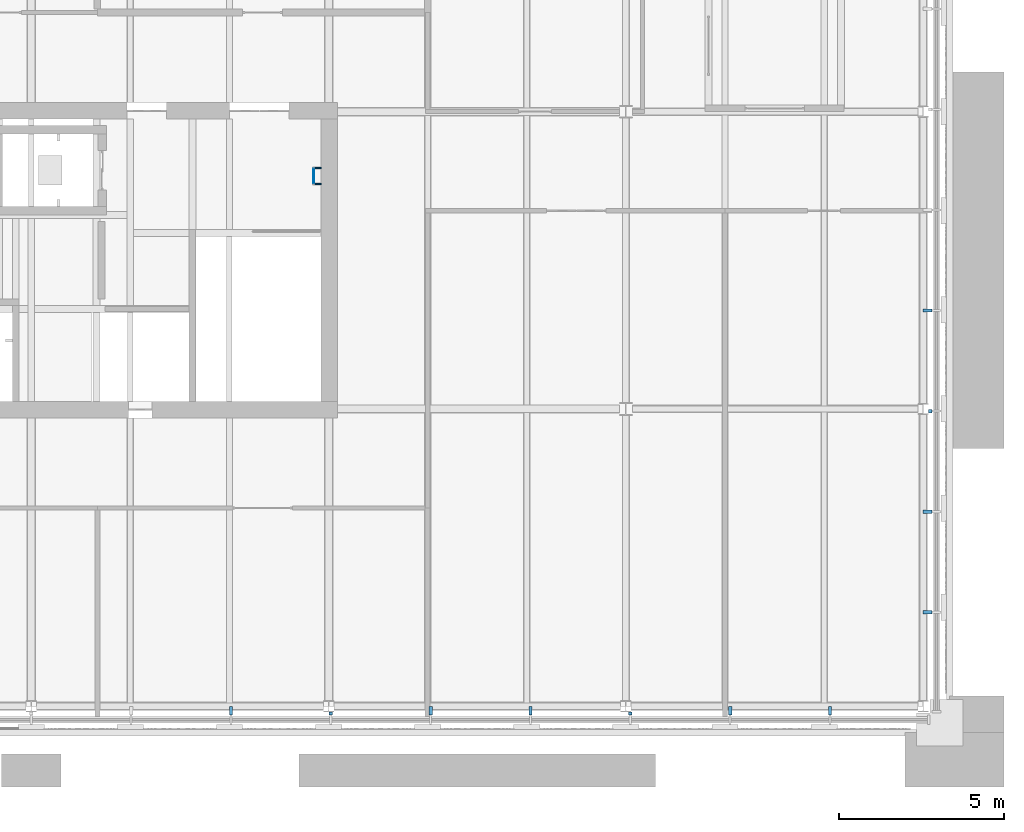
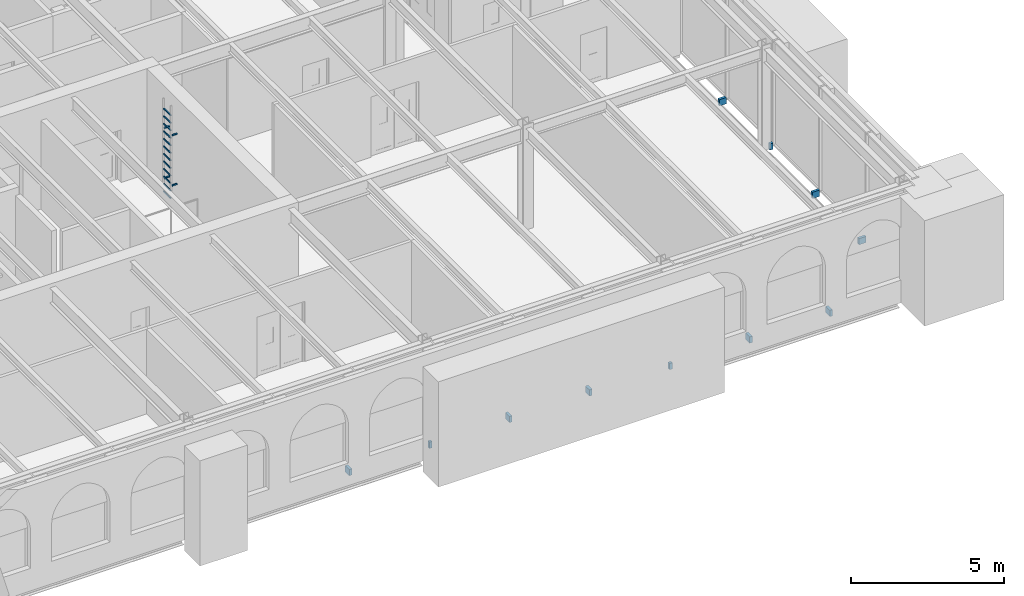
# One storey, part 19 of 24: 27 discrete accessories.
"""IFC4 building model written with IfcOpenShell, lengths in metres."""

from ifc_helpers import new_model, si_unit, direction, frame, origin, origin_2d, place, context, subcontext, project, spatial, rectangle, extrude, material, type_object, element, save


model = new_model("IFC4")

# Units and contexts
model_context = context("Model", 3, precision=1e-05, world=origin(), true_north=direction((0.0, 1.0)))
body_context = subcontext(model_context, "Body", "Model", "MODEL_VIEW")
ifc_project = project(units=[si_unit("LENGTHUNIT", "METRE"), si_unit("AREAUNIT", "SQUARE_METRE"), si_unit("VOLUMEUNIT", "CUBIC_METRE"), si_unit("PLANEANGLEUNIT", "RADIAN"), si_unit("MASSUNIT", "GRAM", prefix="KILO")], contexts=[model_context])

# Site, building, storey
site_placement = place(None, origin())
site = spatial("IfcSite", under=ifc_project, at=site_placement, CompositionType="ELEMENT")
building_placement = place(site_placement, origin())
building = spatial("IfcBuilding", under=site, at=building_placement, Name="Baradari Gate Terminus", CompositionType="ELEMENT")
storey_placement = place(building_placement, frame((0.0, 0.0, 32.699951171875)))
storey = spatial("IfcBuildingStorey", under=building, at=storey_placement, Name="L07", CompositionType="ELEMENT", Elevation=32.699951171875)

# Discrete accessories
ifc_material_1 = material(Name="Aluminium 6063-T6", Category="aluminium")
discrete_accessory_type_1 = type_object("IfcDiscreteAccessoryType", Name="Curtain wall bracket BK-1 100x250", PredefinedType="BRACKET", material=ifc_material_1)
discrete_accessory_1_placement = place(storey_placement, frame((42.04443359375, 116.864990234375, -0.1298828125), z_axis=(0.0, 0.0, 1.0), x_axis=(0.0, -1.0, 0.0)))
element("IfcDiscreteAccessory", 1, at=discrete_accessory_1_placement, inside=storey, type_object=discrete_accessory_type_1, Name="Curtain wall bracket L07/TS mullion 12", PredefinedType="BRACKET", context=body_context, shape_type="SweptSolid", body=[
    extrude(rectangle(XDim=0.27001953125, YDim=0.10009765625, at=origin_2d()), origin(), (0.0, 0.0, 1.0), 0.25),
])
discrete_accessory_2_placement = place(storey_placement, frame((45.066650390625, 116.780029296875, -0.099853515625), z_axis=(0.0, 0.0, 1.0), x_axis=(0.0, -1.0, 0.0)))
element("IfcDiscreteAccessory", 2, at=discrete_accessory_2_placement, inside=storey, type_object=discrete_accessory_type_1, Name="Curtain wall bracket L07/TS mullion 13", PredefinedType="BRACKET", context=body_context, shape_type="SweptSolid", body=[
    extrude(rectangle(XDim=0.10009765625, YDim=0.10009765625, at=origin_2d()), origin(), (0.0, 0.0, 1.0), 0.25),
])
for number, where, z_axis, x_axis, name in (
    (3, (48.0888671875, 116.864990234375, -0.1298828125), (0.0, 0.0, 1.0), (0.0, -1.0, 0.0), "Curtain wall bracket L07/TS mullion 14"),
    (4, (51.111083984375, 116.864990234375, -0.1298828125), (0.0, 0.0, 1.0), (0.0, -1.0, 0.0), "Curtain wall bracket L07/TS mullion 15"),
):
    element("IfcDiscreteAccessory", number, at=place(storey_placement, frame(where, z_axis=z_axis, x_axis=x_axis)), inside=storey, type_object=discrete_accessory_type_1, Name=name, PredefinedType="BRACKET", context=body_context, shape_type="SweptSolid", body=[
        extrude(rectangle(XDim=0.27001953125, YDim=0.10009765625, at=origin_2d()), origin(), (0.0, 0.0, 1.0), 0.25),
    ])
discrete_accessory_3_placement = place(storey_placement, frame((54.13330078125, 116.780029296875, -0.1298828125), z_axis=(0.0, 0.0, 1.0), x_axis=(0.0, -1.0, 0.0)))
element("IfcDiscreteAccessory", 5, at=discrete_accessory_3_placement, inside=storey, type_object=discrete_accessory_type_1, Name="Curtain wall bracket L07/TS mullion 16", PredefinedType="BRACKET", context=body_context, shape_type="SweptSolid", body=[
    extrude(rectangle(XDim=0.10009765625, YDim=0.10009765625, at=origin_2d()), origin(), (0.0, 0.0, 1.0), 0.25),
])
for number, where, z_axis, x_axis, name in (
    (6, (57.155517578125, 116.864990234375, -0.1298828125), (0.0, 0.0, 1.0), (0.0, -1.0, 0.0), "Curtain wall bracket L07/TS mullion 17"),
    (7, (60.177734375, 116.864990234375, -0.1298828125), (0.0, 0.0, 1.0), (0.0, -1.0, 0.0), "Curtain wall bracket L07/TS mullion 18"),
    (8, (63.135009765625, 119.844482421875, -0.1298828125), (0.0, 0.0, 1.0), (1.0, 0.0, 0.0), "Curtain wall bracket L07/TE mullion 2"),
    (9, (63.135009765625, 122.888916015625, -0.1298828125), (0.0, 0.0, 1.0), (1.0, 0.0, 0.0), "Curtain wall bracket L07/TE mullion 3"),
):
    element("IfcDiscreteAccessory", number, at=place(storey_placement, frame(where, z_axis=z_axis, x_axis=x_axis)), inside=storey, type_object=discrete_accessory_type_1, Name=name, PredefinedType="BRACKET", context=body_context, shape_type="SweptSolid", body=[
        extrude(rectangle(XDim=0.27001953125, YDim=0.10009765625, at=origin_2d()), origin(), (0.0, 0.0, 1.0), 0.25),
    ])
discrete_accessory_4_placement = place(storey_placement, frame((63.213623046875, 125.933349609375, -0.099853515625), z_axis=(0.0, 0.0, 1.0), x_axis=(1.0, 0.0, 0.0)))
element("IfcDiscreteAccessory", 10, at=discrete_accessory_4_placement, inside=storey, type_object=discrete_accessory_type_1, Name="Curtain wall bracket L07/TE mullion 4", PredefinedType="BRACKET", context=body_context, shape_type="SweptSolid", body=[
    extrude(rectangle(XDim=0.11279296875, YDim=0.10009765625, at=origin_2d()), origin(), (0.0, 0.0, 1.0), 0.25),
])
discrete_accessory_5_placement = place(storey_placement, frame((63.135009765625, 128.977783203125, -0.1298828125), z_axis=(0.0, 0.0, 1.0), x_axis=(1.0, 0.0, 0.0)))
element("IfcDiscreteAccessory", 11, at=discrete_accessory_5_placement, inside=storey, type_object=discrete_accessory_type_1, Name="Curtain wall bracket L07/TE mullion 5", PredefinedType="BRACKET", context=body_context, shape_type="SweptSolid", body=[
    extrude(rectangle(XDim=0.27001953125, YDim=0.10009765625, at=origin_2d()), origin(), (0.0, 0.0, 1.0), 0.25),
])
ifc_material_2 = material(Name="Steel S275", Category="steel")
discrete_accessory_type_2 = type_object("IfcDiscreteAccessoryType", Name="Fixed ladder bracket FL-3 200x40x50", PredefinedType="BRACKET", material=ifc_material_2)
for number, where, z_axis, x_axis, name in (
    (12, (44.675048828125, 132.804931640625, 0.77490234375), (0.0, 0.0, 1.0), (1.0, 0.0, 0.0), "Roof ladder bracket 1.1"),
    (13, (44.675048828125, 132.804931640625, 2.77490234375), (0.0, 0.0, 1.0), (1.0, 0.0, 0.0), "Roof ladder bracket 1.2"),
    (14, (44.675048828125, 133.294921875, 0.77490234375), (0.0, 0.0, 1.0), (1.0, 0.0, 0.0), "Roof ladder bracket 2.1"),
    (15, (44.675048828125, 133.294921875, 2.77490234375), (0.0, 0.0, 1.0), (1.0, 0.0, 0.0), "Roof ladder bracket 2.2"),
):
    element("IfcDiscreteAccessory", number, at=place(storey_placement, frame(where, z_axis=z_axis, x_axis=x_axis)), inside=storey, type_object=discrete_accessory_type_2, Name=name, PredefinedType="BRACKET", context=body_context, shape_type="SweptSolid", body=[
        extrude(rectangle(XDim=0.199951171875, YDim=0.0400390625, at=origin_2d()), origin(), (0.0, 0.0, 1.0), 0.050048828125),
    ])
ifc_material_3 = material(Name="Steel S275", Category="steel")
discrete_accessory_type_3 = type_object("IfcDiscreteAccessoryType", Name="Fixed ladder rung FL-2 30", PredefinedType="USERDEFINED", material=ifc_material_3)
for number, where, z_axis, x_axis, name in (
    (16, (44.544921875, 133.050048828125, 0.28515625), (0.0, 0.0, 1.0), (1.0, 0.0, 0.0), "Roof ladder rung 1"),
    (17, (44.544921875, 133.050048828125, 0.5849609375), (0.0, 0.0, 1.0), (1.0, 0.0, 0.0), "Roof ladder rung 2"),
    (18, (44.544921875, 133.050048828125, 0.88525390625), (0.0, 0.0, 1.0), (1.0, 0.0, 0.0), "Roof ladder rung 3"),
    (19, (44.544921875, 133.050048828125, 1.18505859375), (0.0, 0.0, 1.0), (1.0, 0.0, 0.0), "Roof ladder rung 4"),
    (20, (44.544921875, 133.050048828125, 1.48486328125), (0.0, 0.0, 1.0), (1.0, 0.0, 0.0), "Roof ladder rung 5"),
    (21, (44.544921875, 133.050048828125, 1.78515625), (0.0, 0.0, 1.0), (1.0, 0.0, 0.0), "Roof ladder rung 6"),
    (22, (44.544921875, 133.050048828125, 2.0849609375), (0.0, 0.0, 1.0), (1.0, 0.0, 0.0), "Roof ladder rung 7"),
    (23, (44.544921875, 133.050048828125, 2.38525390625), (0.0, 0.0, 1.0), (1.0, 0.0, 0.0), "Roof ladder rung 8"),
    (24, (44.544921875, 133.050048828125, 2.68505859375), (0.0, 0.0, 1.0), (1.0, 0.0, 0.0), "Roof ladder rung 9"),
    (25, (44.544921875, 133.050048828125, 2.98486328125), (0.0, 0.0, 1.0), (1.0, 0.0, 0.0), "Roof ladder rung 10"),
    (26, (44.544921875, 133.050048828125, 3.28515625), (0.0, 0.0, 1.0), (1.0, 0.0, 0.0), "Roof ladder rung 11"),
    (27, (44.544921875, 133.050048828125, 3.5849609375), (0.0, 0.0, 1.0), (1.0, 0.0, 0.0), "Roof ladder rung 12"),
):
    element("IfcDiscreteAccessory", number, at=place(storey_placement, frame(where, z_axis=z_axis, x_axis=x_axis)), inside=storey, type_object=discrete_accessory_type_3, Name=name, ObjectType="LADDER RUNG", PredefinedType="USERDEFINED", context=body_context, shape_type="SweptSolid", body=[
        extrude(rectangle(XDim=0.030029296875, YDim=0.449951171875, at=origin_2d()), origin(), (0.0, 0.0, 1.0), 0.030029296875),
    ])

save(model, "model.ifc")
